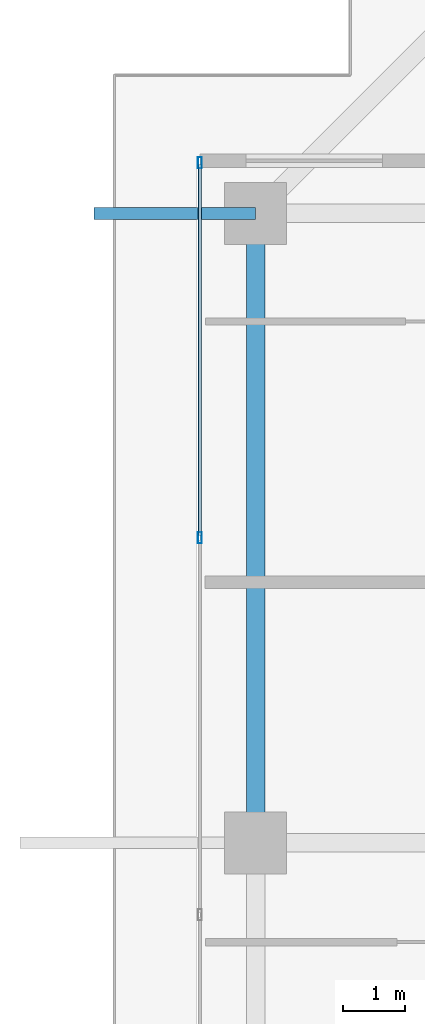
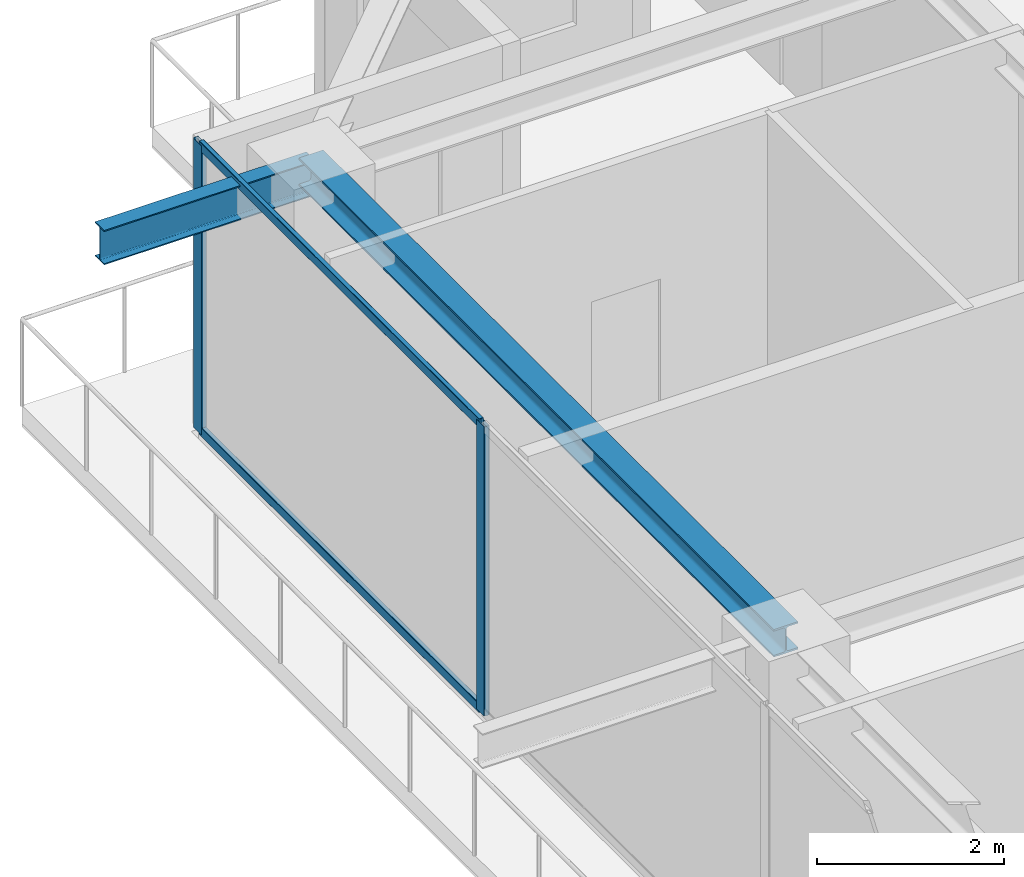
# One storey, part 19 of 40: 4 members, 2 beams, 1 element without a shape of its own.
"""IFC4 building model written with IfcOpenShell, lengths in metres."""

from ifc_helpers import new_model, si_unit, direction, frame, origin, origin_2d, place, context, subcontext, project, spatial, hollow_rectangle, i_section, extrude, source, transform, mapped, material, layer, layer_set, material_profile, profile_set, type_object, element, aggregate, save


model = new_model("IFC4")

# Units and contexts
model_context = context("Model", 3, precision=1e-05, world=origin(), true_north=direction((0.0, 1.0)))
body_context = subcontext(model_context, "Body", "Model", "MODEL_VIEW")
ifc_project = project(units=[si_unit("LENGTHUNIT", "METRE"), si_unit("AREAUNIT", "SQUARE_METRE"), si_unit("VOLUMEUNIT", "CUBIC_METRE"), si_unit("PLANEANGLEUNIT", "RADIAN"), si_unit("MASSUNIT", "GRAM", prefix="KILO")], contexts=[model_context])

# Site, building, storey
site_placement = place(None, origin())
site = spatial("IfcSite", under=ifc_project, at=site_placement, CompositionType="ELEMENT")
building_placement = place(site_placement, origin())
building = spatial("IfcBuilding", under=site, at=building_placement, Name="Serunith Strait Residences", CompositionType="ELEMENT")
storey_placement = place(building_placement, frame((0.0, 0.0, 313.699951171875)))
storey = spatial("IfcBuildingStorey", under=building, at=storey_placement, Name="L78", CompositionType="ELEMENT", Elevation=313.699951171875)

# Beams
ifc_material_1 = material(Name="Steel S355J2", Category="steel")
ifc_material_profile_1 = material_profile(ifc_material_1, i_section(OverallWidth=0.300048828125, OverallDepth=0.360107421875, WebThickness=0.012451171875, FlangeThickness=0.0224609375, FilletRadius=0.027099609375, at=origin_2d()), Name="HEB 360")
ifc_profile_set_1 = profile_set([ifc_material_profile_1], Name="Steel S355J2")
beam_type_1 = type_object("IfcBeamType", Name="BM-HEB360", PredefinedType="BEAM", material=ifc_profile_set_1)
shared_shape_1 = source(origin(), body_context, "Body", "SweptSolid", [
    extrude(i_section(OverallWidth=0.300048828125, OverallDepth=0.360107421875, WebThickness=0.012451171875, FlangeThickness=0.0224609375, FilletRadius=0.027099609375, at=origin_2d()), origin(), (0.0, 0.0, 1.0), 10.150146484375),
])
beam_1_placement = place(storey_placement, frame((10.10009765625, 39.550048828125, 3.60693359375), z_axis=(0.0, -1.0, 0.0), x_axis=(1.0, 0.0, 0.0)))
element("IfcBeam", 1, at=beam_1_placement, inside=storey, type_object=beam_type_1, Name="L78 Perimeter Ring Beam 13", PredefinedType="BEAM", context=body_context, shape_type="MappedRepresentation", body=[
    mapped(shared_shape_1, transform((0.0, 0.0, 0.0), scale=1.0)),
])
ifc_material_profile_2 = material_profile(ifc_material_1, i_section(OverallWidth=0.18994140625, OverallDepth=0.449951171875, WebThickness=0.009521484375, FlangeThickness=0.0146484375, FilletRadius=0.02099609375, at=origin_2d()), Name="IPE 450")
ifc_profile_set_2 = profile_set([ifc_material_profile_2], Name="Steel S355J2")
beam_type_2 = type_object("IfcBeamType", Name="BM-IPE450", PredefinedType="JOIST", material=ifc_profile_set_2)
shared_shape_2 = source(origin(), body_context, "Body", "SweptSolid", [
    extrude(i_section(OverallWidth=0.18994140625, OverallDepth=0.449951171875, WebThickness=0.009521484375, FlangeThickness=0.0146484375, FilletRadius=0.02099609375, at=origin_2d()), origin(), (0.0, 0.0, 1.0), 2.608642578125),
])
beam_2_placement = place(storey_placement, frame((10.10009765625, 39.550048828125, 3.531982421875), z_axis=(-1.0, 0.0, 0.0), x_axis=(0.0, -1.0, 0.0)))
element("IfcBeam", 2, at=beam_2_placement, inside=storey, type_object=beam_type_2, Name="L79 Cantilevered Balcony Rib TC-W4", PredefinedType="JOIST", context=body_context, shape_type="MappedRepresentation", body=[
    mapped(shared_shape_2, transform((0.0, 0.0, 0.0), scale=1.0)),
])

# Curtain wall, members
ifc_material_2 = material(Name="Brushed Stainless-Silver Aluminium", Category="aluminium")
ifc_layer = layer(ifc_material_2, 0.199951171875, Name="Brushed Stainless-Silver Aluminium")
ifc_layer_set = layer_set([ifc_layer], Name="Brushed Stainless-Silver Aluminium")
curtain_wall_type = type_object("IfcCurtainWallType", Name="CW-SYS5", PredefinedType="NOTDEFINED", material=ifc_layer_set)
curtain_wall_placement = place(storey_placement, origin())
curtain_wall = element("IfcCurtainWall", 3, at=curtain_wall_placement, inside=storey, type_object=curtain_wall_type, Name="L78 W Unitised Fritted Curtain Wall", PredefinedType="NOTDEFINED")
ifc_material_profile_3 = material_profile(ifc_material_2, hollow_rectangle(XDim=0.06494140625, YDim=0.179931640625, WallThickness=0.00341796875, InnerFilletRadius=0.00537109375, OuterFilletRadius=0.0087890625, at=origin_2d()), Name="ALU 180x65x3.5")
ifc_profile_set_3 = profile_set([ifc_material_profile_3], Name="Brushed Stainless-Silver Aluminium")
member_type_1 = type_object("IfcMemberType", Name="CW-SYS5-MULL", PredefinedType="MULLION", material=ifc_profile_set_3)
shared_shape_3 = source(origin(), body_context, "Body", "SweptSolid", [
    extrude(hollow_rectangle(XDim=0.06494140625, YDim=0.179931640625, WallThickness=0.00341796875, InnerFilletRadius=0.00537109375, OuterFilletRadius=0.0087890625, at=origin_2d()), origin(), (0.0, 0.0, 1.0), 3.775146484375),
])
member_1_placement = place(storey_placement, frame((9.199951171875, 40.367431640625, 0.0), z_axis=(0.0, 0.0, 1.0), x_axis=(1.0, 0.0, 0.0)))
member_1 = element("IfcMember", 4, at=member_1_placement, type_object=member_type_1, Name="CW-5 mullion 1", PredefinedType="MULLION", context=body_context, shape_type="MappedRepresentation", body=[
    mapped(shared_shape_3, transform((0.0, 0.0, 0.0), scale=1.0)),
])
member_2_placement = place(storey_placement, frame((9.199951171875, 34.320068359375, 0.0), z_axis=(0.0, 0.0, 1.0), x_axis=(1.0, 0.0, 0.0)))
member_2 = element("IfcMember", 5, at=member_2_placement, type_object=member_type_1, Name="CW-5 mullion 2", PredefinedType="MULLION", context=body_context, shape_type="MappedRepresentation", body=[
    mapped(shared_shape_3, transform((0.0, 0.0, 0.0), scale=1.0)),
])
ifc_material_profile_4 = material_profile(ifc_material_2, hollow_rectangle(XDim=0.06005859375, YDim=0.1201171875, WallThickness=0.00341796875, InnerFilletRadius=0.00537109375, OuterFilletRadius=0.0087890625, at=origin_2d()), Name="ALU 120x60x3.5")
ifc_profile_set_4 = profile_set([ifc_material_profile_4], Name="Brushed Stainless-Silver Aluminium")
member_type_2 = type_object("IfcMemberType", Name="CW-SYS5-TRAN", PredefinedType="USERDEFINED", material=ifc_profile_set_4)
shared_shape_4 = source(origin(), body_context, "Body", "SweptSolid", [
    extrude(hollow_rectangle(XDim=0.06005859375, YDim=0.1201171875, WallThickness=0.00341796875, InnerFilletRadius=0.00537109375, OuterFilletRadius=0.0087890625, at=origin_2d()), origin(), (0.0, 0.0, 1.0), 5.982421875),
])
member_3_placement = place(storey_placement, frame((9.199951171875, 40.3349609375, 0.030029296875), z_axis=(0.0, -1.0, 0.0), x_axis=(1.0, 0.0, 0.0)))
member_3 = element("IfcMember", 6, at=member_3_placement, type_object=member_type_2, Name="CW-5 transom 1.1", ObjectType="TRANSOM", PredefinedType="USERDEFINED", context=body_context, shape_type="MappedRepresentation", body=[
    mapped(shared_shape_4, transform((0.0, 0.0, 0.0), scale=1.0)),
])
member_4_placement = place(storey_placement, frame((9.199951171875, 40.3349609375, 3.7451171875), z_axis=(0.0, -1.0, 0.0), x_axis=(1.0, 0.0, 0.0)))
member_4 = element("IfcMember", 7, at=member_4_placement, type_object=member_type_2, Name="CW-5 transom 1.2", ObjectType="TRANSOM", PredefinedType="USERDEFINED", context=body_context, shape_type="MappedRepresentation", body=[
    mapped(shared_shape_4, transform((0.0, 0.0, 0.0), scale=1.0)),
])
aggregate(curtain_wall, [member_1, member_2, member_3, member_4])

save(model, "model.ifc")
